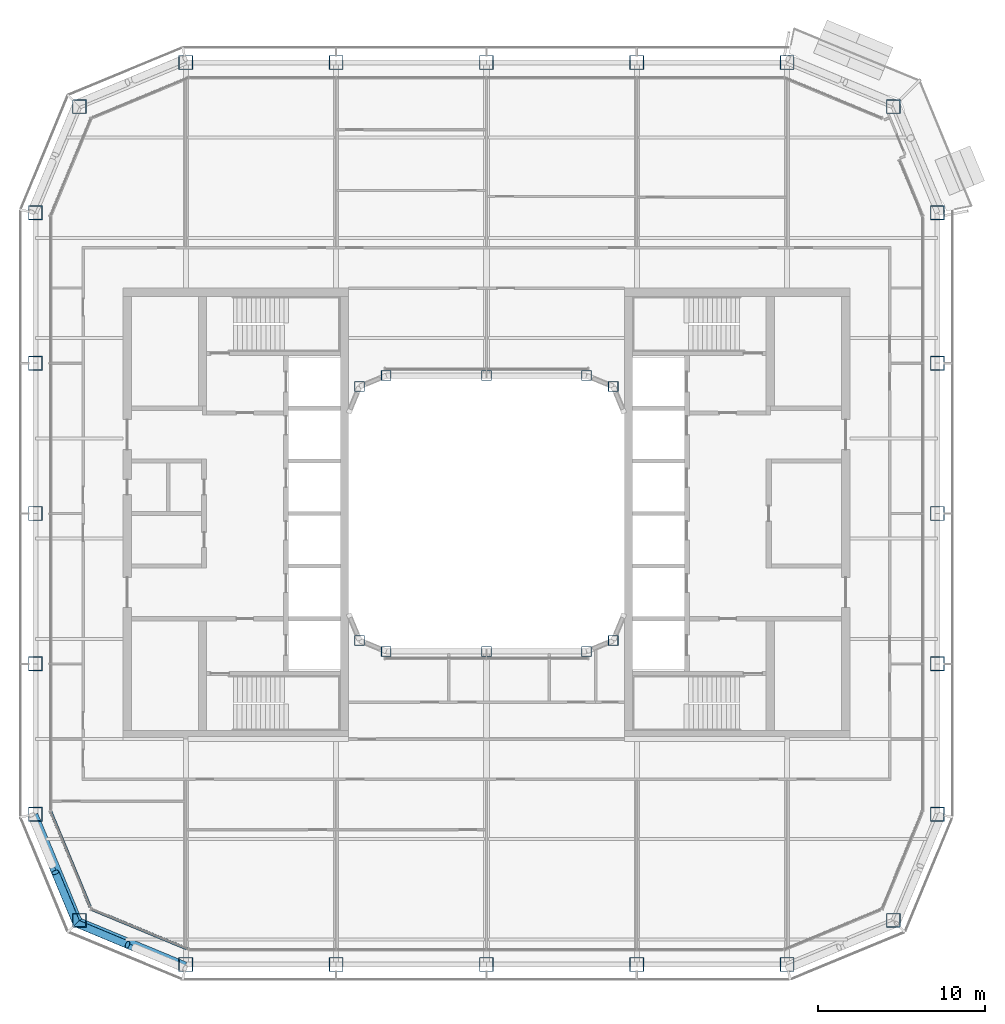
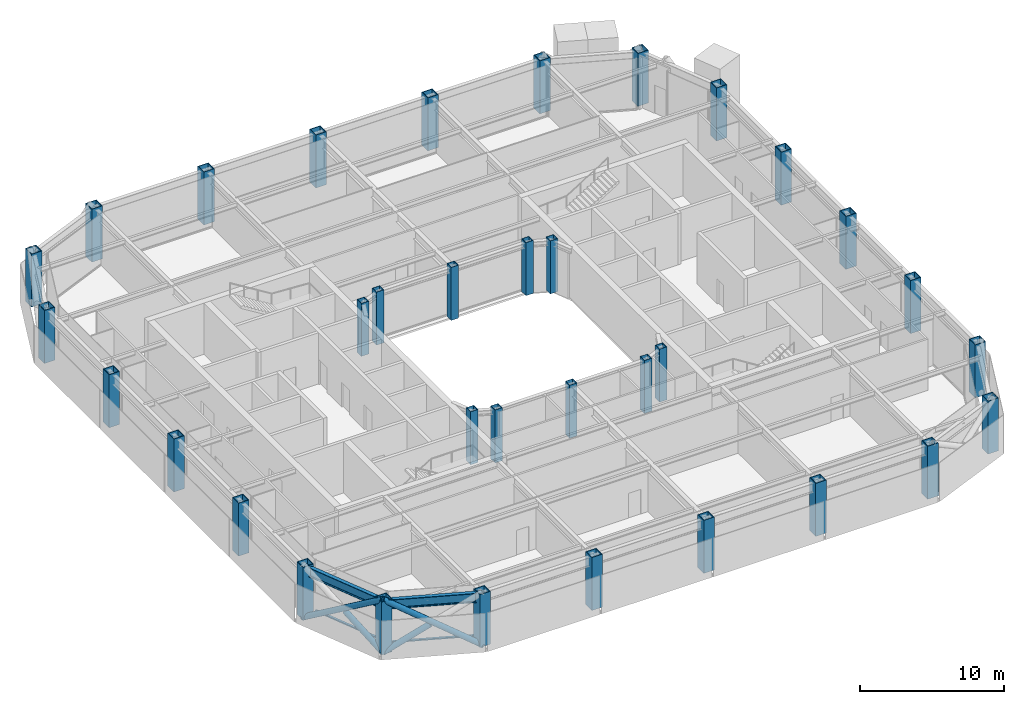
# One storey, part 1 of 23: 34 columns, 6 members, 2 beams, 2 elements without a shape of their own.
"""IFC4 building model written with IfcOpenShell, lengths in metres."""

from ifc_helpers import new_model, si_unit, direction, frame, origin, origin_2d, place, context, subcontext, project, spatial, rectangle, hollow_rectangle, hollow_circle, i_section, extrude, material, layer, layer_set, material_profile, profile_set, type_object, element, aggregate, save


model = new_model("IFC4")

# Units and contexts
model_context = context("Model", 3, precision=1e-05, world=origin(), true_north=direction((0.0, 1.0)))
body_context = subcontext(model_context, "Body", "Model", "MODEL_VIEW")
ifc_project = project(units=[si_unit("LENGTHUNIT", "METRE"), si_unit("AREAUNIT", "SQUARE_METRE"), si_unit("VOLUMEUNIT", "CUBIC_METRE"), si_unit("PLANEANGLEUNIT", "RADIAN"), si_unit("MASSUNIT", "GRAM", prefix="KILO")], contexts=[model_context])

# Site, building, storey
site_placement = place(None, origin())
site = spatial("IfcSite", under=ifc_project, at=site_placement, CompositionType="ELEMENT")
building_placement = place(site_placement, origin())
building = spatial("IfcBuilding", under=site, at=building_placement, Name="Siwar Civic Tower", CompositionType="ELEMENT")
storey_placement = place(building_placement, frame((0.0, 0.0, 206.199951171875)))
storey = spatial("IfcBuildingStorey", under=building, at=storey_placement, Name="L44", CompositionType="ELEMENT", Elevation=206.199951171875)

# Columns
ifc_material_1 = material(Name="Steel S355", Category="steel")
ifc_material_profile_1 = material_profile(ifc_material_1, hollow_rectangle(XDim=0.85009765625, YDim=0.85009765625, WallThickness=0.050048828125, at=origin_2d()), Name="BOX850x850x50")
ifc_profile_set_1 = profile_set([ifc_material_profile_1], Name="Steel S355")
column_type_1 = type_object("IfcColumnType", Name="STR-COL-BOX850x850x50", PredefinedType="COLUMN", material=ifc_profile_set_1)
for number, where, z_axis, x_axis, name in (
    (1, (-18.0, -27.0, 0.0), (0.0, 0.0, 1.0), (1.0, 0.0, 0.0), "L44/col/S-0"),
    (2, (-9.0, -27.0, 0.0), (0.0, 0.0, 1.0), (1.0, 0.0, 0.0), "L44/col/S-1"),
    (3, (0.0, -27.0, 0.0), (0.0, 0.0, 1.0), (1.0, 0.0, 0.0), "L44/col/S-2"),
    (4, (9.0, -27.0, 0.0), (0.0, 0.0, 1.0), (1.0, 0.0, 0.0), "L44/col/S-3"),
    (5, (18.0, -27.0, 0.0), (0.0, 0.0, 1.0), (1.0, 0.0, 0.0), "L44/col/SE1-0"),
    (6, (24.364013671875, -24.364013671875, 0.0), (0.0, 0.0, 1.0), (1.0, 0.0, 0.0), "L44/col/SE2-0"),
    (7, (27.0, -18.0, 0.0), (0.0, 0.0, 1.0), (1.0, 0.0, 0.0), "L44/col/E-0"),
    (8, (27.0, -9.0, 0.0), (0.0, 0.0, 1.0), (1.0, 0.0, 0.0), "L44/col/E-1"),
    (9, (27.0, 0.0, 0.0), (0.0, 0.0, 1.0), (1.0, 0.0, 0.0), "L44/col/E-2"),
    (10, (27.0, 9.0, 0.0), (0.0, 0.0, 1.0), (1.0, 0.0, 0.0), "L44/col/E-3"),
    (11, (27.0, 18.0, 0.0), (0.0, 0.0, 1.0), (1.0, 0.0, 0.0), "L44/col/NE1-0"),
    (12, (24.364013671875, 24.364013671875, 0.0), (0.0, 0.0, 1.0), (1.0, 0.0, 0.0), "L44/col/NE2-0"),
    (13, (18.0, 27.0, 0.0), (0.0, 0.0, 1.0), (1.0, 0.0, 0.0), "L44/col/N-0"),
    (14, (9.0, 27.0, 0.0), (0.0, 0.0, 1.0), (1.0, 0.0, 0.0), "L44/col/N-1"),
    (15, (0.0, 27.0, 0.0), (0.0, 0.0, 1.0), (1.0, 0.0, 0.0), "L44/col/N-2"),
    (16, (-9.0, 27.0, 0.0), (0.0, 0.0, 1.0), (1.0, 0.0, 0.0), "L44/col/N-3"),
    (17, (-18.0, 27.0, 0.0), (0.0, 0.0, 1.0), (1.0, 0.0, 0.0), "L44/col/NW1-0"),
    (18, (-24.364013671875, 24.364013671875, 0.0), (0.0, 0.0, 1.0), (1.0, 0.0, 0.0), "L44/col/NW2-0"),
    (19, (-27.0, 18.0, 0.0), (0.0, 0.0, 1.0), (1.0, 0.0, 0.0), "L44/col/W-0"),
    (20, (-27.0, 9.0, 0.0), (0.0, 0.0, 1.0), (1.0, 0.0, 0.0), "L44/col/W-1"),
    (21, (-27.0, 0.0, 0.0), (0.0, 0.0, 1.0), (1.0, 0.0, 0.0), "L44/col/W-2"),
    (22, (-27.0, -9.0, 0.0), (0.0, 0.0, 1.0), (1.0, 0.0, 0.0), "L44/col/W-3"),
    (23, (-27.0, -18.0, 0.0), (0.0, 0.0, 1.0), (1.0, 0.0, 0.0), "L44/col/SW1-0"),
    (24, (-24.364013671875, -24.364013671875, 0.0), (0.0, 0.0, 1.0), (1.0, 0.0, 0.0), "L44/col/SW2-0"),
):
    element("IfcColumn", number, at=place(storey_placement, frame(where, z_axis=z_axis, x_axis=x_axis)), inside=storey, type_object=column_type_1, Name=name, PredefinedType="COLUMN", context=body_context, shape_type="SweptSolid", body=[
        extrude(hollow_rectangle(XDim=0.85009765625, YDim=0.85009765625, WallThickness=0.050048828125, at=origin_2d()), origin(), (0.0, 0.0, 1.0), 4.5),
    ])
ifc_material_2 = material(Name="Steel S355", Category="steel")
ifc_material_profile_2 = material_profile(ifc_material_2, hollow_rectangle(XDim=0.60009765625, YDim=0.60009765625, WallThickness=0.031982421875, at=origin_2d()), Name="BOX600x600x32")
ifc_profile_set_2 = profile_set([ifc_material_profile_2], Name="Steel S355")
column_type_2 = type_object("IfcColumnType", Name="STR-ICOL-BOX600x600x32", PredefinedType="COLUMN", material=ifc_profile_set_2)
for number, where, z_axis, x_axis, name in (
    (25, (-7.591064453125, -7.591064453125, 0.0), (0.0, 0.0, 1.0), (1.0, 0.0, 0.0), "L44/col/IS-0"),
    (26, (-6.0, -8.25, 0.0), (0.0, 0.0, 1.0), (1.0, 0.0, 0.0), "L44/col/IS-1"),
    (27, (0.0, -8.25, 0.0), (0.0, 0.0, 1.0), (1.0, 0.0, 0.0), "L44/col/IS-2"),
    (28, (6.0, -8.25, 0.0), (0.0, 0.0, 1.0), (1.0, 0.0, 0.0), "L44/col/IS-3"),
    (29, (7.591064453125, -7.591064453125, 0.0), (0.0, 0.0, 1.0), (1.0, 0.0, 0.0), "L44/col/IS-4"),
    (30, (-7.591064453125, 7.591064453125, 0.0), (0.0, 0.0, 1.0), (1.0, 0.0, 0.0), "L44/col/IN-0"),
    (31, (-6.0, 8.25, 0.0), (0.0, 0.0, 1.0), (1.0, 0.0, 0.0), "L44/col/IN-1"),
    (32, (0.0, 8.25, 0.0), (0.0, 0.0, 1.0), (1.0, 0.0, 0.0), "L44/col/IN-2"),
    (33, (6.0, 8.25, 0.0), (0.0, 0.0, 1.0), (1.0, 0.0, 0.0), "L44/col/IN-3"),
    (34, (7.591064453125, 7.591064453125, 0.0), (0.0, 0.0, 1.0), (1.0, 0.0, 0.0), "L44/col/IN-4"),
):
    element("IfcColumn", number, at=place(storey_placement, frame(where, z_axis=z_axis, x_axis=x_axis)), inside=storey, type_object=column_type_2, Name=name, PredefinedType="COLUMN", context=body_context, shape_type="SweptSolid", body=[
        extrude(hollow_rectangle(XDim=0.60009765625, YDim=0.60009765625, WallThickness=0.031982421875, at=origin_2d()), origin(), (0.0, 0.0, 1.0), 4.5),
    ])

# Curtain wall, member
ifc_material_3 = material(Name="Aluminium clad insulated panel", Category="aluminium")
ifc_layer = layer(ifc_material_3, 0.179931640625)
ifc_layer_set = layer_set([ifc_layer], Name="Aluminium clad insulated panel")
curtain_wall_type = type_object("IfcCurtainWallType", Name="ENV-CW-CX", PredefinedType="NOTDEFINED", material=ifc_layer_set)
curtain_wall_1_placement = place(storey_placement, origin())
curtain_wall_1 = element("IfcCurtainWall", 35, at=curtain_wall_1_placement, inside=storey, type_object=curtain_wall_type, Name="Curtain wall C SW1", PredefinedType="NOTDEFINED")
ifc_material_4 = material(Name="Aluminium 6063-T6", Category="aluminium")
ifc_material_profile_3 = material_profile(ifc_material_4, rectangle(XDim=0.179931640625, YDim=0.10009765625, at=origin_2d()), Name="AL 180x100")
ifc_profile_set_3 = profile_set([ifc_material_profile_3], Name="Aluminium 6063-T6")
member_type_1 = type_object("IfcMemberType", Name="ENV-TRANSOM-C", PredefinedType="USERDEFINED", material=ifc_profile_set_3)
member_1_placement = place(storey_placement, frame((-26.088623046875, -17.8486328125, 0.050048828125), z_axis=(0.38267744817, -0.923882011223, 0.0), x_axis=(0.923882011223, 0.38267744817, 0.0)))
member_1 = element("IfcMember", 36, at=member_1_placement, type_object=member_type_1, Name="Transom C SW1 1", ObjectType="TRANSOM", PredefinedType="USERDEFINED", context=body_context, shape_type="SweptSolid", body=[
    extrude(rectangle(XDim=0.179931640625, YDim=0.10009765625, at=origin_2d()), origin(), (0.0, 0.0, 1.0), 6.201904296875),
])
aggregate(curtain_wall_1, [member_1])

curtain_wall_2_placement = place(storey_placement, origin())
curtain_wall_2 = element("IfcCurtainWall", 37, at=curtain_wall_2_placement, inside=storey, type_object=curtain_wall_type, Name="Curtain wall C SW2", PredefinedType="NOTDEFINED")
member_2_placement = place(storey_placement, frame((-23.6474609375, -23.6865234375, 0.050048828125), z_axis=(0.923876246063, -0.382691366456, 0.0), x_axis=(0.382691366456, 0.923876246063, 0.0)))
member_2 = element("IfcMember", 38, at=member_2_placement, type_object=member_type_1, Name="Transom C SW2 1", ObjectType="TRANSOM", PredefinedType="USERDEFINED", context=body_context, shape_type="SweptSolid", body=[
    extrude(rectangle(XDim=0.179931640625, YDim=0.10009765625, at=origin_2d()), origin(), (0.0, 0.0, 1.0), 6.20166015625),
])
aggregate(curtain_wall_2, [member_2])

# Members
ifc_material_5 = material(Name="Steel S355", Category="steel")
ifc_material_profile_4 = material_profile(ifc_material_5, hollow_circle(Radius=0.228515625, WallThickness=0.02001953125, at=origin_2d()), Name="CHS457x20")
ifc_profile_set_4 = profile_set([ifc_material_profile_4], Name="Steel S355")
member_type_2 = type_object("IfcMemberType", Name="STR-BR-CHS457x20", PredefinedType="BRACE", material=ifc_profile_set_4)
member_3_placement = place(storey_placement, frame((-18.048828125, -27.2451171875, 0.0), z_axis=(-0.777554562952, 0.323905527954, 0.538975055633), x_axis=(-0.384538969033, -0.923108759191, 0.0)))
element("IfcMember", 39, at=member_3_placement, inside=storey, type_object=member_type_2, Name="L44/brc/CSW1-4-0-1", PredefinedType="BRACE", context=body_context, shape_type="SweptSolid", body=[
    extrude(hollow_circle(Radius=0.228515625, WallThickness=0.02001953125, at=origin_2d()), origin(), (0.0, 0.0, 1.0), 8.34912109375),
])
member_4_placement = place(storey_placement, frame((-24.540771484375, -24.540771484375, 0.0), z_axis=(0.777546448489, -0.323884455881, 0.538999424564), x_axis=(0.38452107079, 0.92311621485, 0.0)))
element("IfcMember", 40, at=member_4_placement, inside=storey, type_object=member_type_2, Name="L44/brc/CSW1-4-0-2", PredefinedType="BRACE", context=body_context, shape_type="SweptSolid", body=[
    extrude(hollow_circle(Radius=0.228515625, WallThickness=0.02001953125, at=origin_2d()), origin(), (0.0, 0.0, 1.0), 3.927978515625),
])
member_5_placement = place(storey_placement, frame((-27.2451171875, -18.048828125, 0.0), z_axis=(0.323905527954, -0.777554562952, 0.538975055633), x_axis=(0.923108759191, 0.384538969033, 0.0)))
element("IfcMember", 41, at=member_5_placement, inside=storey, type_object=member_type_2, Name="L44/brc/CSW1-4-0-0", PredefinedType="BRACE", context=body_context, shape_type="SweptSolid", body=[
    extrude(hollow_circle(Radius=0.228515625, WallThickness=0.02001953125, at=origin_2d()), origin(), (0.0, 0.0, 1.0), 8.34912109375),
])
member_6_placement = place(storey_placement, frame((-24.540771484375, -24.540771484375, 0.0), z_axis=(-0.323884455881, 0.777546448489, 0.538999424564), x_axis=(-0.92311621485, -0.38452107079, 0.0)))
element("IfcMember", 42, at=member_6_placement, inside=storey, type_object=member_type_2, Name="L44/brc/CSW1-4-0-4", PredefinedType="BRACE", context=body_context, shape_type="SweptSolid", body=[
    extrude(hollow_circle(Radius=0.228515625, WallThickness=0.02001953125, at=origin_2d()), origin(), (0.0, 0.0, 1.0), 3.927978515625),
])

# Beams
ifc_material_6 = material(Name="Steel S355", Category="steel")
ifc_material_profile_5 = material_profile(ifc_material_6, i_section(OverallWidth=0.300048828125, OverallDepth=0.800048828125, WebThickness=0.017578125, FlangeThickness=0.032958984375, FilletRadius=0.030029296875, at=origin_2d()), Name="HEB800")
ifc_profile_set_5 = profile_set([ifc_material_profile_5], Name="Steel S355")
beam_type = type_object("IfcBeamType", Name="STR-SB-HEB800", PredefinedType="BEAM", material=ifc_profile_set_5)
for number, where, z_axis, x_axis, name in (
    (43, (-27.0, -18.0, 3.949951171875), (0.382674207535, -0.923883353507, 0.0), (0.923883353507, 0.382674207535, 0.0), "L44/bm/SSW1-0"),
    (44, (-24.364013671875, -24.364013671875, 3.949951171875), (0.923883353507, -0.382674207535, 0.0), (0.382674207535, 0.923883353507, 0.0), "L44/bm/SSW2-0"),
):
    element("IfcBeam", number, at=place(storey_placement, frame(where, z_axis=z_axis, x_axis=x_axis)), inside=storey, type_object=beam_type, Name=name, PredefinedType="BEAM", context=body_context, shape_type="SweptSolid", body=[
        extrude(i_section(OverallWidth=0.300048828125, OverallDepth=0.800048828125, WebThickness=0.017578125, FlangeThickness=0.032958984375, FilletRadius=0.030029296875, at=origin_2d()), origin(), (0.0, 0.0, 1.0), 6.888427734375),
    ])

save(model, "model.ifc")
